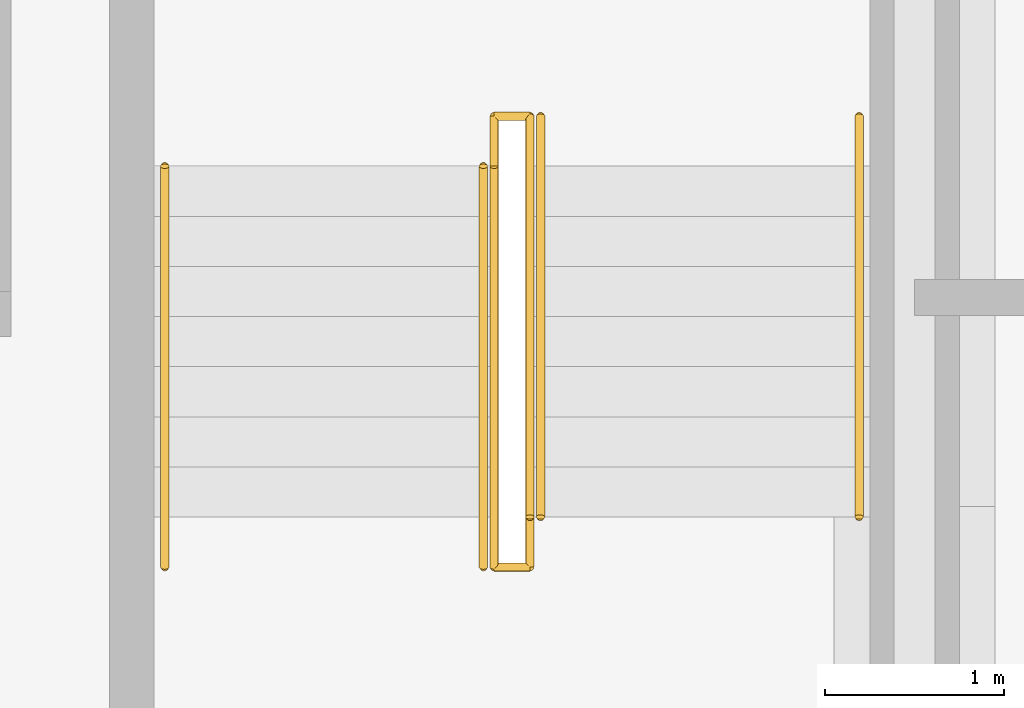
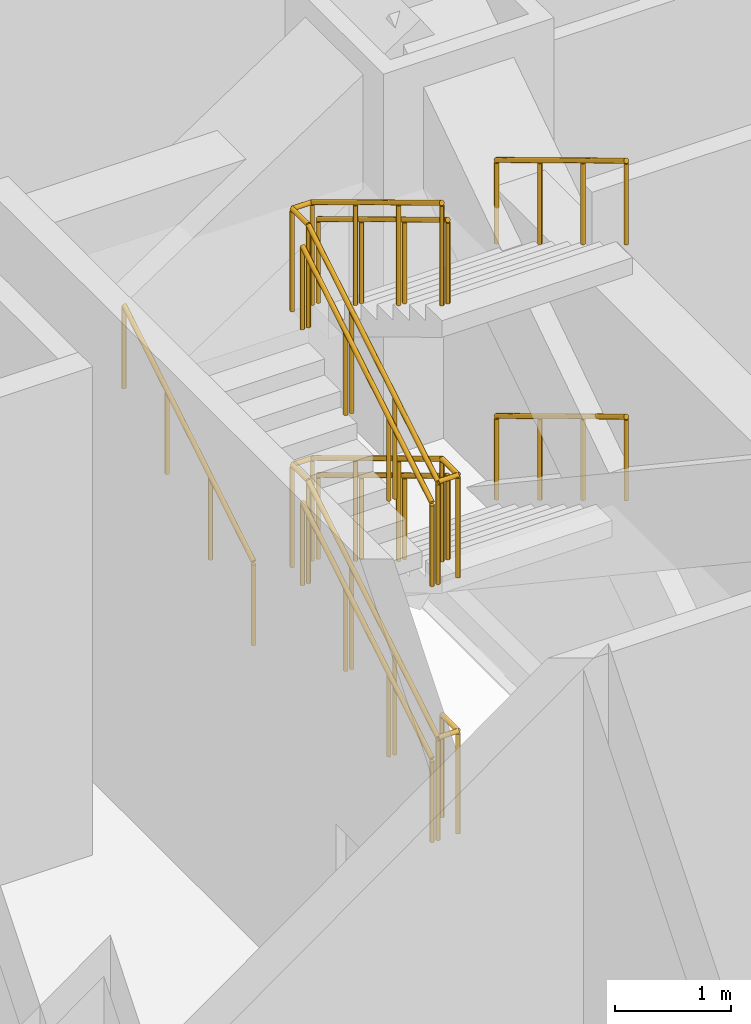
# One storey, part 28 of 29: 8 railings.
"""IFC4 building model written with IfcOpenShell, lengths in metres."""

from ifc_helpers import new_model, si_unit, direction, frame, origin, origin_2d, place, context, subcontext, project, spatial, circle, extrude, material, type_object, element, save


model = new_model("IFC4")

# Units and contexts
model_context = context("Model", 3, precision=1e-05, world=origin(), true_north=direction((0.0, 1.0)))
body_context = subcontext(model_context, "Body", "Model", "MODEL_VIEW")
ifc_project = project(units=[si_unit("LENGTHUNIT", "METRE"), si_unit("AREAUNIT", "SQUARE_METRE"), si_unit("VOLUMEUNIT", "CUBIC_METRE"), si_unit("PLANEANGLEUNIT", "RADIAN"), si_unit("MASSUNIT", "GRAM", prefix="KILO")], contexts=[model_context])

# Site, building, storey
site_placement = place(None, origin())
site = spatial("IfcSite", under=ifc_project, at=site_placement, CompositionType="ELEMENT")
building_placement = place(site_placement, origin())
building = spatial("IfcBuilding", under=site, at=building_placement, Name="Kopane Lantern Tower", CompositionType="ELEMENT")
storey_placement = place(building_placement, frame((0.0, 0.0, 11.39990234375)))
storey = spatial("IfcBuildingStorey", under=building, at=storey_placement, Name="L02", CompositionType="ELEMENT", Elevation=11.39990234375)

# Railings
ifc_material_1 = material(Name="Steel", Category="steel")
railing_type_1 = type_object("IfcRailingType", Name="STAIR GUARD 1100", PredefinedType="GUARDRAIL", material=ifc_material_1)
railing_1_placement = place(storey_placement, frame((38.35009765625, 36.389892578125, 0.0)))
element("IfcRailing", 1, at=railing_1_placement, inside=storey, type_object=railing_type_1, Name="ST2 well guard L02", PredefinedType="GUARDRAIL", context=body_context, shape_type="SweptSolid", body=[
    extrude(circle(Radius=0.02392578125, at=origin_2d()), frame((0.0, 0.0, 1.076171875), z_axis=(0.0, -1.0, 0.0), x_axis=(1.0, 0.0, 0.0)), (0.0, 0.0, 1.0), 0.27978515625),
    extrude(circle(Radius=0.02392578125, at=origin_2d()), frame((0.0, -0.27978515625, 1.076171875), z_axis=(-1.0, 0.0, 0.0), x_axis=(0.0, -1.0, 0.0)), (0.0, 0.0, 1.0), 0.2001953125),
    extrude(circle(Radius=0.02392578125, at=origin_2d()), frame((-0.2001953125, -0.27978515625, 1.076171875), z_axis=(0.0, 0.856461642802, 0.516210668632), x_axis=(-1.0, 0.0, 0.0)), (0.0, 0.0, 1.0), 2.615478515625),
    extrude(circle(Radius=0.02392578125, at=origin_2d()), frame((-0.2001953125, 1.960205078125, 2.42626953125), z_axis=(0.0, 1.0, 0.0), x_axis=(-1.0, 0.0, 0.0)), (0.0, 0.0, 1.0), 0.27978515625),
    extrude(circle(Radius=0.02392578125, at=origin_2d()), frame((-0.2001953125, 2.239990234375, 2.42626953125), z_axis=(1.0, 0.0, 0.0), x_axis=(0.0, 1.0, 0.0)), (0.0, 0.0, 1.0), 0.2001953125),
    extrude(circle(Radius=0.02392578125, at=origin_2d()), frame((0.0, 2.239990234375, 2.42626953125), z_axis=(0.0, -0.856461642802, 0.516210668632), x_axis=(1.0, 0.0, 0.0)), (0.0, 0.0, 1.0), 2.615478515625),
    extrude(circle(Radius=0.02392578125, at=origin_2d()), frame((0.0, 0.0, 3.7763671875), z_axis=(0.0, -1.0, 0.0), x_axis=(1.0, 0.0, 0.0)), (0.0, 0.0, 1.0), 0.27978515625),
    extrude(circle(Radius=0.02392578125, at=origin_2d()), frame((0.0, -0.27978515625, 3.7763671875), z_axis=(-1.0, 0.0, 0.0), x_axis=(0.0, -1.0, 0.0)), (0.0, 0.0, 1.0), 0.2001953125),
    extrude(circle(Radius=0.02392578125, at=origin_2d()), frame((-0.2001953125, -0.27978515625, 3.7763671875), z_axis=(0.0, 0.856502912269, 0.516142190947), x_axis=(-1.0, 0.0, 0.0)), (0.0, 0.0, 1.0), 2.615234375),
    extrude(circle(Radius=0.02392578125, at=origin_2d()), frame((-0.2001953125, 1.960205078125, 5.1259765625), z_axis=(0.0, 1.0, 0.0), x_axis=(-1.0, 0.0, 0.0)), (0.0, 0.0, 1.0), 0.27978515625),
    extrude(circle(Radius=0.02392578125, at=origin_2d()), frame((-0.2001953125, 2.239990234375, 5.1259765625), z_axis=(1.0, 0.0, 0.0), x_axis=(0.0, 1.0, 0.0)), (0.0, 0.0, 1.0), 0.2001953125),
    extrude(circle(Radius=0.02392578125, at=origin_2d()), frame((0.0, 2.239990234375, 5.1259765625), z_axis=(0.0, -0.856461642802, 0.516210668632), x_axis=(1.0, 0.0, 0.0)), (0.0, 0.0, 1.0), 2.615478515625),
    extrude(circle(Radius=0.02099609375, at=origin_2d()), origin(), (0.0, 0.0, 1.0), 1.052001953125),
    extrude(circle(Radius=0.02099609375, at=origin_2d()), frame((0.0, -0.27978515625, 0.0)), (0.0, 0.0, 1.0), 1.052001953125),
    extrude(circle(Radius=0.02099609375, at=origin_2d()), frame((-0.2001953125, -0.27978515625, 0.0)), (0.0, 0.0, 1.0), 1.052001953125),
    extrude(circle(Radius=0.02099609375, at=origin_2d()), frame((-0.2001953125, 0.466796875, 0.449951171875)), (0.0, 0.0, 1.0), 1.052001953125),
    extrude(circle(Radius=0.02099609375, at=origin_2d()), frame((-0.2001953125, 1.213623046875, 0.900146484375)), (0.0, 0.0, 1.0), 1.052001953125),
    extrude(circle(Radius=0.02099609375, at=origin_2d()), frame((-0.2001953125, 1.960205078125, 1.35009765625)), (0.0, 0.0, 1.0), 1.052001953125),
    extrude(circle(Radius=0.02099609375, at=origin_2d()), frame((-0.2001953125, 2.239990234375, 1.35009765625)), (0.0, 0.0, 1.0), 1.052001953125),
    extrude(circle(Radius=0.02099609375, at=origin_2d()), frame((0.0, 2.239990234375, 1.35009765625)), (0.0, 0.0, 1.0), 1.052001953125),
    extrude(circle(Radius=0.02099609375, at=origin_2d()), frame((0.0, 1.493408203125, 1.800048828125)), (0.0, 0.0, 1.0), 1.052001953125),
    extrude(circle(Radius=0.02099609375, at=origin_2d()), frame((0.0, 0.74658203125, 2.250244140625)), (0.0, 0.0, 1.0), 1.052001953125),
    extrude(circle(Radius=0.02099609375, at=origin_2d()), frame((0.0, 0.0, 2.7001953125)), (0.0, 0.0, 1.0), 1.052001953125),
    extrude(circle(Radius=0.02099609375, at=origin_2d()), frame((0.0, -0.27978515625, 2.7001953125)), (0.0, 0.0, 1.0), 1.052001953125),
    extrude(circle(Radius=0.02099609375, at=origin_2d()), frame((-0.2001953125, -0.27978515625, 2.7001953125)), (0.0, 0.0, 1.0), 1.052001953125),
    extrude(circle(Radius=0.02099609375, at=origin_2d()), frame((-0.2001953125, 0.466796875, 3.150146484375)), (0.0, 0.0, 1.0), 1.052001953125),
    extrude(circle(Radius=0.02099609375, at=origin_2d()), frame((-0.2001953125, 1.213623046875, 3.60009765625)), (0.0, 0.0, 1.0), 1.052001953125),
    extrude(circle(Radius=0.02099609375, at=origin_2d()), frame((-0.2001953125, 1.960205078125, 4.050048828125)), (0.0, 0.0, 1.0), 1.052001953125),
    extrude(circle(Radius=0.02099609375, at=origin_2d()), frame((-0.2001953125, 2.239990234375, 4.050048828125)), (0.0, 0.0, 1.0), 1.052001953125),
    extrude(circle(Radius=0.02099609375, at=origin_2d()), frame((0.0, 2.239990234375, 4.050048828125)), (0.0, 0.0, 1.0), 1.052001953125),
    extrude(circle(Radius=0.02099609375, at=origin_2d()), frame((0.0, 1.493408203125, 4.5)), (0.0, 0.0, 1.0), 1.052001953125),
    extrude(circle(Radius=0.02099609375, at=origin_2d()), frame((0.0, 0.74658203125, 4.9501953125)), (0.0, 0.0, 1.0), 1.052001953125),
    extrude(circle(Radius=0.02099609375, at=origin_2d()), frame((0.0, 0.0, 5.400146484375)), (0.0, 0.0, 1.0), 1.052001953125),
])
ifc_material_2 = material(Name="Steel", Category="steel")
railing_type_2 = type_object("IfcRailingType", Name="STAIR HANDRAIL 900", PredefinedType="HANDRAIL", material=ifc_material_2)
railing_2_placement = place(storey_placement, frame((38.090087890625, 36.110107421875, 0.0)))
element("IfcRailing", 2, at=railing_2_placement, inside=storey, type_object=railing_type_2, Name="ST2 handrail L02 flight 1", PredefinedType="HANDRAIL", context=body_context, shape_type="SweptSolid", body=[
    extrude(circle(Radius=0.02392578125, at=origin_2d()), frame((0.0, 0.0, 0.8759765625), z_axis=(0.0, 0.856461642802, 0.516210668632), x_axis=(-1.0, 0.0, 0.0)), (0.0, 0.0, 1.0), 2.615478515625),
    extrude(circle(Radius=0.02099609375, at=origin_2d()), origin(), (0.0, 0.0, 1.0), 0.851806640625),
    extrude(circle(Radius=0.02099609375, at=origin_2d()), frame((0.0, 0.74658203125, 0.449951171875)), (0.0, 0.0, 1.0), 0.851806640625),
    extrude(circle(Radius=0.02099609375, at=origin_2d()), frame((0.0, 1.493408203125, 0.900146484375)), (0.0, 0.0, 1.0), 0.851806640625),
    extrude(circle(Radius=0.02099609375, at=origin_2d()), frame((0.0, 2.239990234375, 1.35009765625)), (0.0, 0.0, 1.0), 0.851806640625),
])
for number, where, name in (
    (3, (40.18994140625, 38.6298828125, 1.35009765625), "ST2 handrail L02 flight 2"),
    (4, (38.409912109375, 38.6298828125, 1.35009765625), "ST2 handrail L02 flight 2"),
):
    element("IfcRailing", number, at=place(storey_placement, frame(where)), inside=storey, type_object=railing_type_2, Name=name, PredefinedType="HANDRAIL", context=body_context, shape_type="SweptSolid", body=[
        extrude(circle(Radius=0.02392578125, at=origin_2d()), frame((0.0, 0.0, 0.8759765625), z_axis=(0.0, -0.856461642802, 0.516210668632), x_axis=(1.0, 0.0, 0.0)), (0.0, 0.0, 1.0), 2.615478515625),
        extrude(circle(Radius=0.02099609375, at=origin_2d()), origin(), (0.0, 0.0, 1.0), 0.851806640625),
        extrude(circle(Radius=0.02099609375, at=origin_2d()), frame((0.0, -0.74658203125, 0.449951171875)), (0.0, 0.0, 1.0), 0.851806640625),
        extrude(circle(Radius=0.02099609375, at=origin_2d()), frame((0.0, -1.493408203125, 0.900146484375)), (0.0, 0.0, 1.0), 0.851806640625),
        extrude(circle(Radius=0.02099609375, at=origin_2d()), frame((0.0, -2.239990234375, 1.35009765625)), (0.0, 0.0, 1.0), 0.851806640625),
    ])
for number, where, name in (
    (5, (36.31005859375, 36.110107421875, 2.7001953125), "ST2 handrail L02 flight 3"),
    (6, (38.090087890625, 36.110107421875, 2.7001953125), "ST2 handrail L02 flight 3"),
):
    element("IfcRailing", number, at=place(storey_placement, frame(where)), inside=storey, type_object=railing_type_2, Name=name, PredefinedType="HANDRAIL", context=body_context, shape_type="SweptSolid", body=[
        extrude(circle(Radius=0.02392578125, at=origin_2d()), frame((0.0, 0.0, 0.8759765625), z_axis=(0.0, 0.856502912269, 0.516142190947), x_axis=(-1.0, 0.0, 0.0)), (0.0, 0.0, 1.0), 2.615234375),
        extrude(circle(Radius=0.02099609375, at=origin_2d()), origin(), (0.0, 0.0, 1.0), 0.851806640625),
        extrude(circle(Radius=0.02099609375, at=origin_2d()), frame((0.0, 0.74658203125, 0.449951171875)), (0.0, 0.0, 1.0), 0.851806640625),
        extrude(circle(Radius=0.02099609375, at=origin_2d()), frame((0.0, 1.493408203125, 0.89990234375)), (0.0, 0.0, 1.0), 0.851806640625),
        extrude(circle(Radius=0.02099609375, at=origin_2d()), frame((0.0, 2.239990234375, 1.349853515625)), (0.0, 0.0, 1.0), 0.851806640625),
    ])
for number, where, name in (
    (7, (40.18994140625, 38.6298828125, 4.050048828125), "ST2 handrail L02 flight 4"),
    (8, (38.409912109375, 38.6298828125, 4.050048828125), "ST2 handrail L02 flight 4"),
):
    element("IfcRailing", number, at=place(storey_placement, frame(where)), inside=storey, type_object=railing_type_2, Name=name, PredefinedType="HANDRAIL", context=body_context, shape_type="SweptSolid", body=[
        extrude(circle(Radius=0.02392578125, at=origin_2d()), frame((0.0, 0.0, 0.8759765625), z_axis=(0.0, -0.856461642802, 0.516210668632), x_axis=(1.0, 0.0, 0.0)), (0.0, 0.0, 1.0), 2.615478515625),
        extrude(circle(Radius=0.02099609375, at=origin_2d()), origin(), (0.0, 0.0, 1.0), 0.851806640625),
        extrude(circle(Radius=0.02099609375, at=origin_2d()), frame((0.0, -0.74658203125, 0.449951171875)), (0.0, 0.0, 1.0), 0.851806640625),
        extrude(circle(Radius=0.02099609375, at=origin_2d()), frame((0.0, -1.493408203125, 0.900146484375)), (0.0, 0.0, 1.0), 0.851806640625),
        extrude(circle(Radius=0.02099609375, at=origin_2d()), frame((0.0, -2.239990234375, 1.35009765625)), (0.0, 0.0, 1.0), 0.851806640625),
    ])

save(model, "model.ifc")
